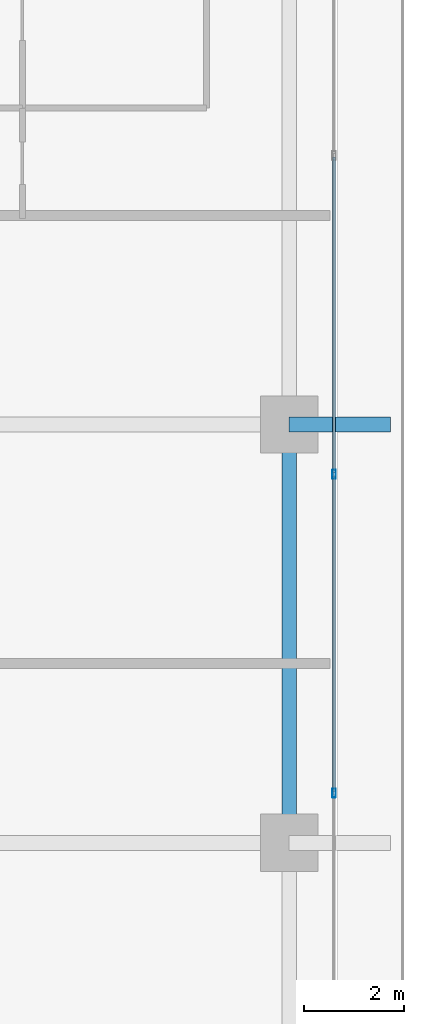
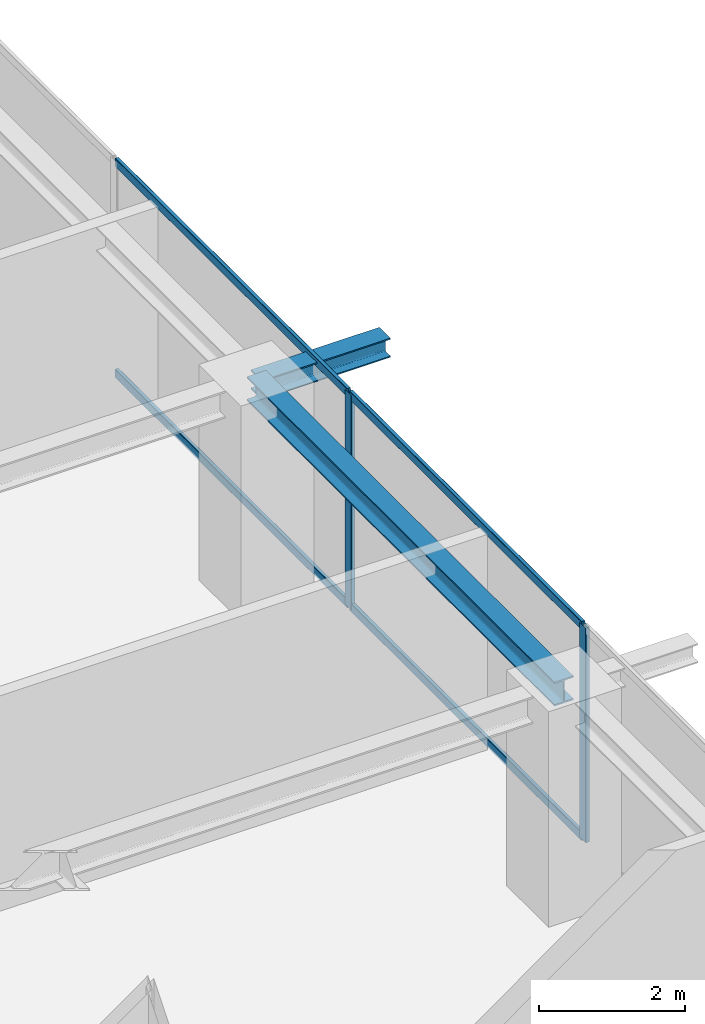
# One storey, part 16 of 38: 6 members, 2 beams, 1 element without a shape of its own.
"""IFC4 building model written with IfcOpenShell, lengths in metres."""

from ifc_helpers import new_model, si_unit, direction, frame, origin, origin_2d, place, context, subcontext, project, spatial, hollow_rectangle, i_section, extrude, source, transform, mapped, material, layer, layer_set, material_profile, profile_set, type_object, element, aggregate, save


model = new_model("IFC4")

# Units and contexts
model_context = context("Model", 3, precision=1e-05, world=origin(), true_north=direction((0.0, 1.0)))
body_context = subcontext(model_context, "Body", "Model", "MODEL_VIEW")
ifc_project = project(units=[si_unit("LENGTHUNIT", "METRE"), si_unit("AREAUNIT", "SQUARE_METRE"), si_unit("VOLUMEUNIT", "CUBIC_METRE"), si_unit("PLANEANGLEUNIT", "RADIAN"), si_unit("MASSUNIT", "GRAM", prefix="KILO")], contexts=[model_context])

# Site, building, storey
site_placement = place(None, origin())
site = spatial("IfcSite", under=ifc_project, at=site_placement, CompositionType="ELEMENT")
building_placement = place(site_placement, origin())
building = spatial("IfcBuilding", under=site, at=building_placement, Name="Serunith Strait Residences", CompositionType="ELEMENT")
storey_placement = place(building_placement, frame((0.0, 0.0, 237.39990234375)))
storey = spatial("IfcBuildingStorey", under=building, at=storey_placement, Name="L59", CompositionType="ELEMENT", Elevation=237.39990234375)

# Beams
ifc_material_1 = material(Name="Steel S355J2", Category="steel")
ifc_material_profile_1 = material_profile(ifc_material_1, i_section(OverallWidth=0.300048828125, OverallDepth=0.39990234375, WebThickness=0.013427734375, FlangeThickness=0.02392578125, FilletRadius=0.027099609375, at=origin_2d()), Name="HEB 400")
ifc_profile_set_1 = profile_set([ifc_material_profile_1], Name="Steel S355J2")
beam_type_1 = type_object("IfcBeamType", Name="BM-HEB400", PredefinedType="BEAM", material=ifc_profile_set_1)
shared_shape_1 = source(origin(), body_context, "Body", "SweptSolid", [
    extrude(i_section(OverallWidth=0.300048828125, OverallDepth=0.39990234375, WebThickness=0.013427734375, FlangeThickness=0.02392578125, FilletRadius=0.027099609375, at=origin_2d()), origin(), (0.0, 0.0, 1.0), 8.39990234375),
])
beam_1_placement = place(storey_placement, frame((56.5, 21.0, 3.38720703125), z_axis=(0.0, 1.0, 0.0), x_axis=(-1.0, 0.0, 0.0)))
element("IfcBeam", 1, at=beam_1_placement, inside=storey, type_object=beam_type_1, Name="L59 Perimeter Ring Beam 06", PredefinedType="BEAM", context=body_context, shape_type="MappedRepresentation", body=[
    mapped(shared_shape_1, transform((0.0, 0.0, 0.0), scale=1.0)),
])
ifc_material_profile_2 = material_profile(ifc_material_1, i_section(OverallWidth=0.300048828125, OverallDepth=0.320068359375, WebThickness=0.011474609375, FlangeThickness=0.0205078125, FilletRadius=0.027099609375, at=origin_2d()), Name="HEB 320")
ifc_profile_set_2 = profile_set([ifc_material_profile_2], Name="Steel S355J2")
beam_type_2 = type_object("IfcBeamType", Name="BM-HEB320", PredefinedType="BEAM", material=ifc_profile_set_2)
shared_shape_2 = source(origin(), body_context, "Body", "SweptSolid", [
    extrude(i_section(OverallWidth=0.300048828125, OverallDepth=0.320068359375, WebThickness=0.011474609375, FlangeThickness=0.0205078125, FilletRadius=0.027099609375, at=origin_2d()), origin(), (0.0, 0.0, 1.0), 2.030029296875),
])
beam_2_placement = place(storey_placement, frame((56.5, 29.39990234375, 3.397216796875), z_axis=(1.0, 0.0, 0.0), x_axis=(0.0, 1.0, 0.0)))
element("IfcBeam", 2, at=beam_2_placement, inside=storey, type_object=beam_type_2, Name="L60 Cantilevered Balcony Rib TC-E3", PredefinedType="BEAM", context=body_context, shape_type="MappedRepresentation", body=[
    mapped(shared_shape_2, transform((0.0, 0.0, 0.0), scale=1.0)),
])

# Curtain wall, members
ifc_material_2 = material(Name="Pale-Champagne Anodised Aluminium", Category="aluminium")
ifc_layer = layer(ifc_material_2, 0.199951171875, Name="Pale-Champagne Anodised Aluminium")
ifc_layer_set = layer_set([ifc_layer], Name="Pale-Champagne Anodised Aluminium")
curtain_wall_type = type_object("IfcCurtainWallType", Name="CW-SYS4", PredefinedType="NOTDEFINED", material=ifc_layer_set)
curtain_wall_placement = place(storey_placement, origin())
curtain_wall = element("IfcCurtainWall", 3, at=curtain_wall_placement, inside=storey, type_object=curtain_wall_type, Name="L59 E Unitised Fritted Curtain Wall", PredefinedType="NOTDEFINED")
ifc_material_profile_3 = material_profile(ifc_material_2, hollow_rectangle(XDim=0.06005859375, YDim=0.139892578125, WallThickness=0.00341796875, InnerFilletRadius=0.00537109375, OuterFilletRadius=0.0087890625, at=origin_2d()), Name="ALU 140x60x3.5")
ifc_profile_set_3 = profile_set([ifc_material_profile_3], Name="Pale-Champagne Anodised Aluminium")
member_type_1 = type_object("IfcMemberType", Name="CW-SYS4-TRAN", PredefinedType="USERDEFINED", material=ifc_profile_set_3)
shared_shape_3 = source(origin(), body_context, "Body", "SweptSolid", [
    extrude(hollow_rectangle(XDim=0.06005859375, YDim=0.139892578125, WallThickness=0.00341796875, InnerFilletRadius=0.00537109375, OuterFilletRadius=0.0087890625, at=origin_2d()), origin(), (0.0, 0.0, 1.0), 6.3349609375),
])
member_1_placement = place(storey_placement, frame((57.39990234375, 22.032470703125, 0.030029296875), z_axis=(0.0, 1.0, 0.0), x_axis=(-1.0, 0.0, 0.0)))
member_1 = element("IfcMember", 4, at=member_1_placement, type_object=member_type_1, Name="CW-4 transom 3.1", ObjectType="TRANSOM", PredefinedType="USERDEFINED", context=body_context, shape_type="MappedRepresentation", body=[
    mapped(shared_shape_3, transform((0.0, 0.0, 0.0), scale=1.0)),
])
member_2_placement = place(storey_placement, frame((57.39990234375, 22.032470703125, 3.545166015625), z_axis=(0.0, 1.0, 0.0), x_axis=(-1.0, 0.0, 0.0)))
member_2 = element("IfcMember", 5, at=member_2_placement, type_object=member_type_1, Name="CW-4 transom 3.2", ObjectType="TRANSOM", PredefinedType="USERDEFINED", context=body_context, shape_type="MappedRepresentation", body=[
    mapped(shared_shape_3, transform((0.0, 0.0, 0.0), scale=1.0)),
])
member_3_placement = place(storey_placement, frame((57.39990234375, 28.4326171875, 0.030029296875), z_axis=(0.0, 1.0, 0.0), x_axis=(-1.0, 0.0, 0.0)))
member_3 = element("IfcMember", 6, at=member_3_placement, type_object=member_type_1, Name="CW-4 transom 4.1", ObjectType="TRANSOM", PredefinedType="USERDEFINED", context=body_context, shape_type="MappedRepresentation", body=[
    mapped(shared_shape_3, transform((0.0, 0.0, 0.0), scale=1.0)),
])
member_4_placement = place(storey_placement, frame((57.39990234375, 28.4326171875, 3.545166015625), z_axis=(0.0, 1.0, 0.0), x_axis=(-1.0, 0.0, 0.0)))
member_4 = element("IfcMember", 7, at=member_4_placement, type_object=member_type_1, Name="CW-4 transom 4.2", ObjectType="TRANSOM", PredefinedType="USERDEFINED", context=body_context, shape_type="MappedRepresentation", body=[
    mapped(shared_shape_3, transform((0.0, 0.0, 0.0), scale=1.0)),
])
ifc_material_profile_4 = material_profile(ifc_material_2, hollow_rectangle(XDim=0.06494140625, YDim=0.179931640625, WallThickness=0.00341796875, InnerFilletRadius=0.00537109375, OuterFilletRadius=0.0087890625, at=origin_2d()), Name="ALU 180x65x3.5")
ifc_profile_set_4 = profile_set([ifc_material_profile_4], Name="Pale-Champagne Anodised Aluminium")
member_type_2 = type_object("IfcMemberType", Name="CW-SYS4-MULL", PredefinedType="MULLION", material=ifc_profile_set_4)
shared_shape_4 = source(origin(), body_context, "Body", "SweptSolid", [
    extrude(hollow_rectangle(XDim=0.06494140625, YDim=0.179931640625, WallThickness=0.00341796875, InnerFilletRadius=0.00537109375, OuterFilletRadius=0.0087890625, at=origin_2d()), origin(), (0.0, 0.0, 1.0), 3.5751953125),
])
member_5_placement = place(storey_placement, frame((57.39990234375, 22.0, 0.0), z_axis=(0.0, 0.0, 1.0), x_axis=(-1.0, 0.0, 0.0)))
member_5 = element("IfcMember", 8, at=member_5_placement, type_object=member_type_2, Name="CW-4 mullion 3", PredefinedType="MULLION", context=body_context, shape_type="MappedRepresentation", body=[
    mapped(shared_shape_4, transform((0.0, 0.0, 0.0), scale=1.0)),
])
member_6_placement = place(storey_placement, frame((57.39990234375, 28.39990234375, 0.0), z_axis=(0.0, 0.0, 1.0), x_axis=(-1.0, 0.0, 0.0)))
member_6 = element("IfcMember", 9, at=member_6_placement, type_object=member_type_2, Name="CW-4 mullion 4", PredefinedType="MULLION", context=body_context, shape_type="MappedRepresentation", body=[
    mapped(shared_shape_4, transform((0.0, 0.0, 0.0), scale=1.0)),
])
aggregate(curtain_wall, [member_5, member_6, member_1, member_2, member_3, member_4])

save(model, "model.ifc")
